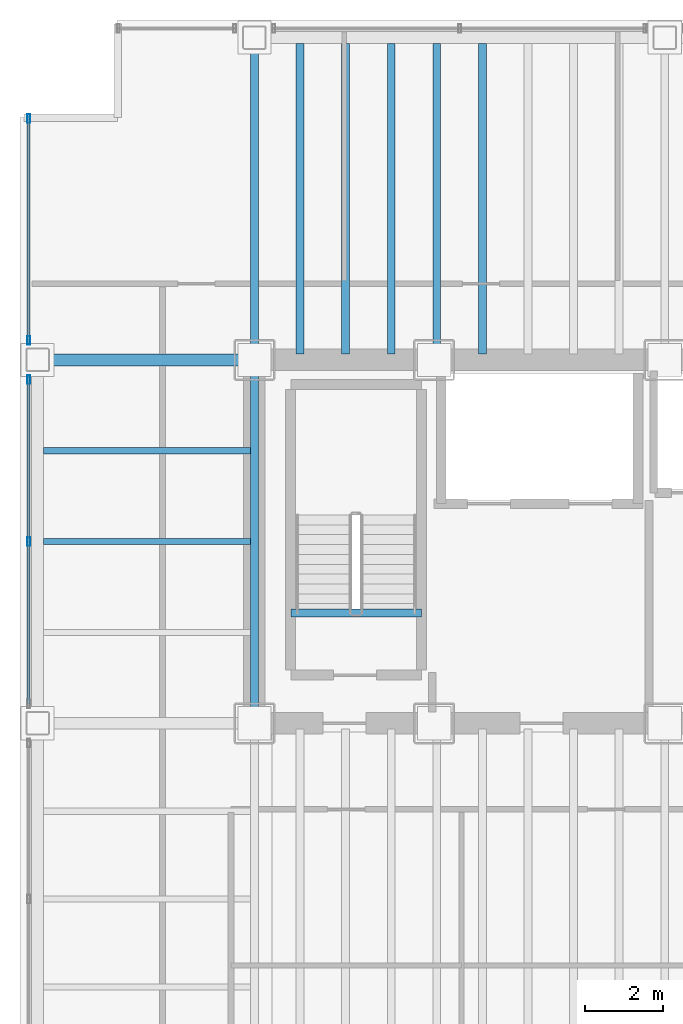
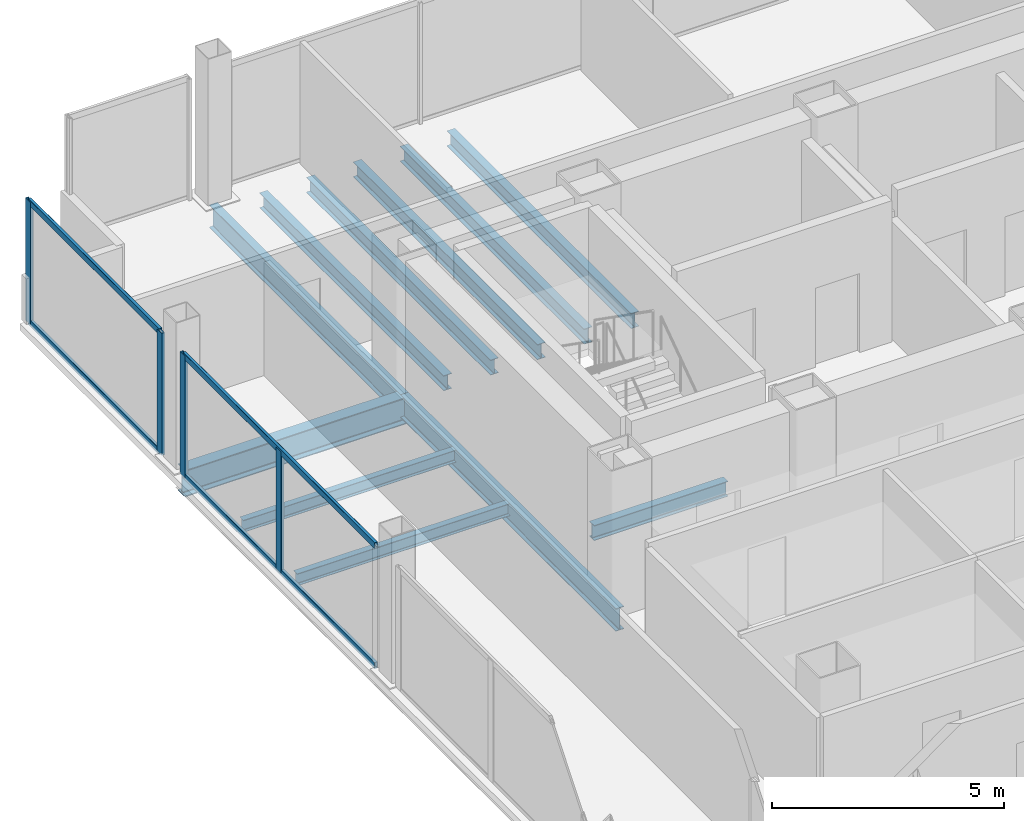
# One storey, part 6 of 20: 11 beams, 8 members, 2 elements without a shape of their own.
"""IFC4 building model written with IfcOpenShell, lengths in metres."""

from ifc_helpers import new_model, si_unit, direction, frame, origin, origin_2d, place, context, subcontext, project, spatial, hollow_rectangle, i_section, extrude, material, material_profile, profile_set, type_object, element, aggregate, save


model = new_model("IFC4")

# Units and contexts
model_context = context("Model", 3, precision=1e-05, world=origin(), true_north=direction((0.0, 1.0)))
body_context = subcontext(model_context, "Body", "Model", "MODEL_VIEW")
ifc_project = project(units=[si_unit("LENGTHUNIT", "METRE"), si_unit("AREAUNIT", "SQUARE_METRE"), si_unit("VOLUMEUNIT", "CUBIC_METRE"), si_unit("PLANEANGLEUNIT", "RADIAN"), si_unit("MASSUNIT", "GRAM", prefix="KILO")], contexts=[model_context])

# Site, building, storey
site_placement = place(None, origin())
site = spatial("IfcSite", under=ifc_project, at=site_placement, CompositionType="ELEMENT")
building_placement = place(site_placement, origin())
building = spatial("IfcBuilding", under=site, at=building_placement, Name="Noeulbin Bourse Tower", CompositionType="ELEMENT")
storey_placement = place(building_placement, frame((0.0, 0.0, 73.300048828125)))
storey = spatial("IfcBuildingStorey", under=building, at=storey_placement, Name="L18", CompositionType="ELEMENT", Elevation=73.300048828125)

# Beams
ifc_material_1 = material(Name="Steel S355", Category="steel")
ifc_material_profile_1 = material_profile(ifc_material_1, i_section(OverallWidth=0.199951171875, OverallDepth=0.60009765625, WebThickness=0.010986328125, FlangeThickness=0.01708984375, FilletRadius=0.02197265625, at=origin_2d()), Name="H-600x200x11x17", Category="LoadBearing")
ifc_profile_set_1 = profile_set([ifc_material_profile_1], Name="Steel S355")
beam_type_1 = type_object("IfcBeamType", Name="BM-GRD-600", PredefinedType="USERDEFINED", material=ifc_profile_set_1)
beam_1_placement = place(storey_placement, frame((13.5, 29.0, -0.47998046875), z_axis=(0.0, 1.0, 0.0), x_axis=(-1.0, 0.0, 0.0)))
element("IfcBeam", 1, at=beam_1_placement, inside=storey, type_object=beam_type_1, Name="Tower Primary Girder NS L18-1.3", ObjectType="GIRDER", PredefinedType="USERDEFINED", context=body_context, shape_type="SweptSolid", body=[
    extrude(i_section(OverallWidth=0.199951171875, OverallDepth=0.60009765625, WebThickness=0.010986328125, FlangeThickness=0.01708984375, FilletRadius=0.02197265625, at=origin_2d()), origin(), (0.0, 0.0, 1.0), 9.300048828125),
])
beam_2_placement = place(storey_placement, frame((13.5, 38.300048828125, -0.47998046875), z_axis=(0.0, 1.0, 0.0), x_axis=(-1.0, 0.0, 0.0)))
element("IfcBeam", 2, at=beam_2_placement, inside=storey, type_object=beam_type_1, Name="Tower Primary Girder NS L18-1.4", ObjectType="GIRDER", PredefinedType="USERDEFINED", context=body_context, shape_type="SweptSolid", body=[
    extrude(i_section(OverallWidth=0.199951171875, OverallDepth=0.60009765625, WebThickness=0.010986328125, FlangeThickness=0.01708984375, FilletRadius=0.02197265625, at=origin_2d()), origin(), (0.0, 0.0, 1.0), 8.25),
])
ifc_material_profile_2 = material_profile(ifc_material_1, i_section(OverallWidth=0.300048828125, OverallDepth=0.699951171875, WebThickness=0.012939453125, FlangeThickness=0.02392578125, FilletRadius=0.02392578125, at=origin_2d()), Name="H-700x300x13x24", Category="LoadBearing")
ifc_profile_set_2 = profile_set([ifc_material_profile_2], Name="Steel S355")
beam_type_2 = type_object("IfcBeamType", Name="BM-GRD-700", PredefinedType="USERDEFINED", material=ifc_profile_set_2)
beam_3_placement = place(storey_placement, frame((7.949951171875, 38.300048828125, -0.530029296875), z_axis=(1.0, 0.0, 0.0), x_axis=(0.0, 1.0, 0.0)))
element("IfcBeam", 3, at=beam_3_placement, inside=storey, type_object=beam_type_2, Name="Tower Primary Girder EW L18-3.1", ObjectType="GIRDER", PredefinedType="USERDEFINED", context=body_context, shape_type="SweptSolid", body=[
    extrude(i_section(OverallWidth=0.300048828125, OverallDepth=0.699951171875, WebThickness=0.012939453125, FlangeThickness=0.02392578125, FilletRadius=0.02392578125, at=origin_2d()), origin(), (0.0, 0.0, 1.0), 5.550048828125),
])
ifc_material_profile_3 = material_profile(ifc_material_1, i_section(OverallWidth=0.159912109375, OverallDepth=0.320068359375, WebThickness=0.006591796875, FlangeThickness=0.010009765625, FilletRadius=0.012939453125, at=origin_2d()), Name="H-320x160x6.5x10", Category="LoadBearing")
ifc_profile_set_3 = profile_set([ifc_material_profile_3], Name="Steel S355")
beam_type_3 = type_object("IfcBeamType", Name="BM-JST-320", PredefinedType="JOIST", material=ifc_profile_set_3)
for number, where, z_axis, x_axis, name in (
    (4, (8.10009765625, 33.64990234375, -0.340087890625), (1.0, 0.0, 0.0), (0.0, 1.0, 0.0), "Wing Composite Joist L18-W74"),
    (5, (8.10009765625, 35.97509765625, -0.340087890625), (1.0, 0.0, 0.0), (0.0, 1.0, 0.0), "Wing Composite Joist L18-W75"),
):
    element("IfcBeam", number, at=place(storey_placement, frame(where, z_axis=z_axis, x_axis=x_axis)), inside=storey, type_object=beam_type_3, Name=name, PredefinedType="JOIST", context=body_context, shape_type="SweptSolid", body=[
        extrude(i_section(OverallWidth=0.159912109375, OverallDepth=0.320068359375, WebThickness=0.006591796875, FlangeThickness=0.010009765625, FilletRadius=0.012939453125, at=origin_2d()), origin(), (0.0, 0.0, 1.0), 5.2998046875),
    ])
ifc_material_profile_4 = material_profile(ifc_material_1, i_section(OverallWidth=0.199951171875, OverallDepth=0.39990234375, WebThickness=0.008056640625, FlangeThickness=0.012939453125, FilletRadius=0.01611328125, at=origin_2d()), Name="H-400x200x8x13", Category="LoadBearing")
ifc_profile_set_4 = profile_set([ifc_material_profile_4], Name="Steel S355")
beam_type_4 = type_object("IfcBeamType", Name="BM-SEC-400", PredefinedType="BEAM", material=ifc_profile_set_4)
for number, where, z_axis, x_axis, name in (
    (6, (14.666748046875, 38.449951171875, -0.380126953125), (0.0, 1.0, 0.0), (-1.0, 0.0, 0.0), "Tower Composite Joist L18-03"),
    (7, (15.833251953125, 38.449951171875, -0.380126953125), (0.0, 1.0, 0.0), (-1.0, 0.0, 0.0), "Tower Composite Joist L18-06"),
    (8, (17.0, 38.449951171875, -0.380126953125), (0.0, 1.0, 0.0), (-1.0, 0.0, 0.0), "Tower Composite Joist L18-09"),
    (9, (18.166748046875, 38.449951171875, -0.380126953125), (0.0, 1.0, 0.0), (-1.0, 0.0, 0.0), "Tower Composite Joist L18-12"),
    (10, (19.333251953125, 38.449951171875, -0.380126953125), (0.0, 1.0, 0.0), (-1.0, 0.0, 0.0), "Tower Composite Joist L18-15"),
):
    element("IfcBeam", number, at=place(storey_placement, frame(where, z_axis=z_axis, x_axis=x_axis)), inside=storey, type_object=beam_type_4, Name=name, PredefinedType="BEAM", context=body_context, shape_type="SweptSolid", body=[
        extrude(i_section(OverallWidth=0.199951171875, OverallDepth=0.39990234375, WebThickness=0.008056640625, FlangeThickness=0.012939453125, FilletRadius=0.01611328125, at=origin_2d()), origin(), (0.0, 0.0, 1.0), 7.949951171875),
    ])
beam_4_placement = place(storey_placement, frame((14.429931640625, 31.820068359375, -0.199951171875), z_axis=(1.0, 0.0, 0.0), x_axis=(0.0, 1.0, 0.0)))
element("IfcBeam", 11, at=beam_4_placement, inside=storey, type_object=beam_type_4, Name="Stair Threshold Trimmer Beam ST1-L18", PredefinedType="BEAM", context=body_context, shape_type="SweptSolid", body=[
    extrude(i_section(OverallWidth=0.199951171875, OverallDepth=0.39990234375, WebThickness=0.008056640625, FlangeThickness=0.012939453125, FilletRadius=0.01611328125, at=origin_2d()), origin(), (0.0, 0.0, 1.0), 3.340087890625),
])

# Curtain wall, members
ifc_material_2 = material(Name="Dark Solar-Control Double Glazing", Category="glass")
curtain_wall_type = type_object("IfcCurtainWallType", Name="CW-SYS-2", PredefinedType="NOTDEFINED", material=ifc_material_2)
curtain_wall_1_placement = place(storey_placement, origin())
curtain_wall_1 = element("IfcCurtainWall", 12, at=curtain_wall_1_placement, inside=storey, type_object=curtain_wall_type, Name="Unitised Curtain Wall CW-L18-W-S3", PredefinedType="NOTDEFINED")
ifc_material_3 = material(Name="Anodised Aluminium 6063-T6", Category="aluminium")
ifc_material_profile_5 = material_profile(ifc_material_3, hollow_rectangle(XDim=0.074951171875, YDim=0.219970703125, WallThickness=0.0048828125, InnerFilletRadius=0.00244140625, OuterFilletRadius=0.0048828125, at=origin_2d()), Name="ALU-MULL-75x220x5", Category="LoadBearing")
ifc_profile_set_5 = profile_set([ifc_material_profile_5], Name="Anodised Aluminium 6063-T6")
member_type_1 = type_object("IfcMemberType", Name="CW-SYS-2-MUL", PredefinedType="MULLION", material=ifc_profile_set_5)
member_1_placement = place(storey_placement, frame((7.719970703125, 33.64990234375, -0.02001953125), z_axis=(0.0, 0.0, 1.0), x_axis=(1.0, 0.0, 0.0)))
member_1 = element("IfcMember", 13, at=member_1_placement, type_object=member_type_1, Name="Curtain Wall Mullion CW-L18-W-S3-M01", PredefinedType="MULLION", context=body_context, shape_type="SweptSolid", body=[
    extrude(hollow_rectangle(XDim=0.074951171875, YDim=0.219970703125, WallThickness=0.0048828125, InnerFilletRadius=0.00244140625, OuterFilletRadius=0.0048828125, at=origin_2d()), origin(), (0.0, 0.0, 1.0), 3.219970703125),
])
member_2_placement = place(storey_placement, frame((7.719970703125, 37.800048828125, -0.02001953125), z_axis=(0.0, 0.0, 1.0), x_axis=(1.0, 0.0, 0.0)))
member_2 = element("IfcMember", 14, at=member_2_placement, type_object=member_type_1, Name="Curtain Wall Mullion CW-L18-W-S3-M02", PredefinedType="MULLION", context=body_context, shape_type="SweptSolid", body=[
    extrude(hollow_rectangle(XDim=0.074951171875, YDim=0.219970703125, WallThickness=0.0048828125, InnerFilletRadius=0.00244140625, OuterFilletRadius=0.0048828125, at=origin_2d()), origin(), (0.0, 0.0, 1.0), 3.219970703125),
])

curtain_wall_2_placement = place(storey_placement, origin())
curtain_wall_2 = element("IfcCurtainWall", 15, at=curtain_wall_2_placement, inside=storey, type_object=curtain_wall_type, Name="Unitised Curtain Wall CW-L18-W-S4", PredefinedType="NOTDEFINED")
member_3_placement = place(storey_placement, frame((7.719970703125, 38.800048828125, -0.02001953125), z_axis=(0.0, 0.0, 1.0), x_axis=(1.0, 0.0, 0.0)))
member_3 = element("IfcMember", 16, at=member_3_placement, type_object=member_type_1, Name="Curtain Wall Mullion CW-L18-W-S4-M00", PredefinedType="MULLION", context=body_context, shape_type="SweptSolid", body=[
    extrude(hollow_rectangle(XDim=0.074951171875, YDim=0.219970703125, WallThickness=0.0048828125, InnerFilletRadius=0.00244140625, OuterFilletRadius=0.0048828125, at=origin_2d()), origin(), (0.0, 0.0, 1.0), 3.219970703125),
])
member_4_placement = place(storey_placement, frame((7.719970703125, 44.47998046875, -0.02001953125), z_axis=(0.0, 0.0, 1.0), x_axis=(1.0, 0.0, 0.0)))
member_4 = element("IfcMember", 17, at=member_4_placement, type_object=member_type_1, Name="Curtain Wall Mullion CW-L18-W-S4-M01", PredefinedType="MULLION", context=body_context, shape_type="SweptSolid", body=[
    extrude(hollow_rectangle(XDim=0.074951171875, YDim=0.219970703125, WallThickness=0.0048828125, InnerFilletRadius=0.00244140625, OuterFilletRadius=0.0048828125, at=origin_2d()), origin(), (0.0, 0.0, 1.0), 3.219970703125),
])

# Member
ifc_material_profile_6 = material_profile(ifc_material_3, hollow_rectangle(XDim=0.074951171875, YDim=0.159912109375, WallThickness=0.0048828125, InnerFilletRadius=0.00244140625, OuterFilletRadius=0.0048828125, at=origin_2d()), Name="ALU-TRAN-75x160x5", Category="LoadBearing")
ifc_profile_set_6 = profile_set([ifc_material_profile_6], Name="Anodised Aluminium 6063-T6")
member_type_2 = type_object("IfcMemberType", Name="CW-SYS-2-TRN", PredefinedType="USERDEFINED", material=ifc_profile_set_6)
member_5_placement = place(storey_placement, frame((7.719970703125, 29.510009765625, 0.010009765625), z_axis=(0.0, 1.0, 0.0), x_axis=(-1.0, 0.0, 0.0)))
member_5 = element("IfcMember", 18, at=member_5_placement, type_object=member_type_2, Name="Curtain Wall Transom CW-L18-W-S3-T00", ObjectType="TRANSOM", PredefinedType="USERDEFINED", context=body_context, shape_type="SweptSolid", body=[
    extrude(hollow_rectangle(XDim=0.074951171875, YDim=0.159912109375, WallThickness=0.0048828125, InnerFilletRadius=0.00244140625, OuterFilletRadius=0.0048828125, at=origin_2d()), origin(), (0.0, 0.0, 1.0), 8.280029296875),
])

member_6_placement = place(storey_placement, frame((7.719970703125, 29.510009765625, 3.169921875), z_axis=(0.0, 1.0, 0.0), x_axis=(-1.0, 0.0, 0.0)))
member_6 = element("IfcMember", 19, at=member_6_placement, type_object=member_type_2, Name="Curtain Wall Transom CW-L18-W-S3-T01", ObjectType="TRANSOM", PredefinedType="USERDEFINED", context=body_context, shape_type="SweptSolid", body=[
    extrude(hollow_rectangle(XDim=0.074951171875, YDim=0.159912109375, WallThickness=0.0048828125, InnerFilletRadius=0.00244140625, OuterFilletRadius=0.0048828125, at=origin_2d()), origin(), (0.0, 0.0, 1.0), 8.280029296875),
])

aggregate(curtain_wall_1, [member_1, member_2, member_5, member_6])

member_7_placement = place(storey_placement, frame((7.719970703125, 38.81005859375, 0.010009765625), z_axis=(0.0, 1.0, 0.0), x_axis=(-1.0, 0.0, 0.0)))
member_7 = element("IfcMember", 20, at=member_7_placement, type_object=member_type_2, Name="Curtain Wall Transom CW-L18-W-S4-T00", ObjectType="TRANSOM", PredefinedType="USERDEFINED", context=body_context, shape_type="SweptSolid", body=[
    extrude(hollow_rectangle(XDim=0.074951171875, YDim=0.159912109375, WallThickness=0.0048828125, InnerFilletRadius=0.00244140625, OuterFilletRadius=0.0048828125, at=origin_2d()), origin(), (0.0, 0.0, 1.0), 5.659912109375),
])

member_8_placement = place(storey_placement, frame((7.719970703125, 38.81005859375, 3.169921875), z_axis=(0.0, 1.0, 0.0), x_axis=(-1.0, 0.0, 0.0)))
member_8 = element("IfcMember", 21, at=member_8_placement, type_object=member_type_2, Name="Curtain Wall Transom CW-L18-W-S4-T01", ObjectType="TRANSOM", PredefinedType="USERDEFINED", context=body_context, shape_type="SweptSolid", body=[
    extrude(hollow_rectangle(XDim=0.074951171875, YDim=0.159912109375, WallThickness=0.0048828125, InnerFilletRadius=0.00244140625, OuterFilletRadius=0.0048828125, at=origin_2d()), origin(), (0.0, 0.0, 1.0), 5.659912109375),
])

aggregate(curtain_wall_2, [member_3, member_4, member_7, member_8])

save(model, "model.ifc")
